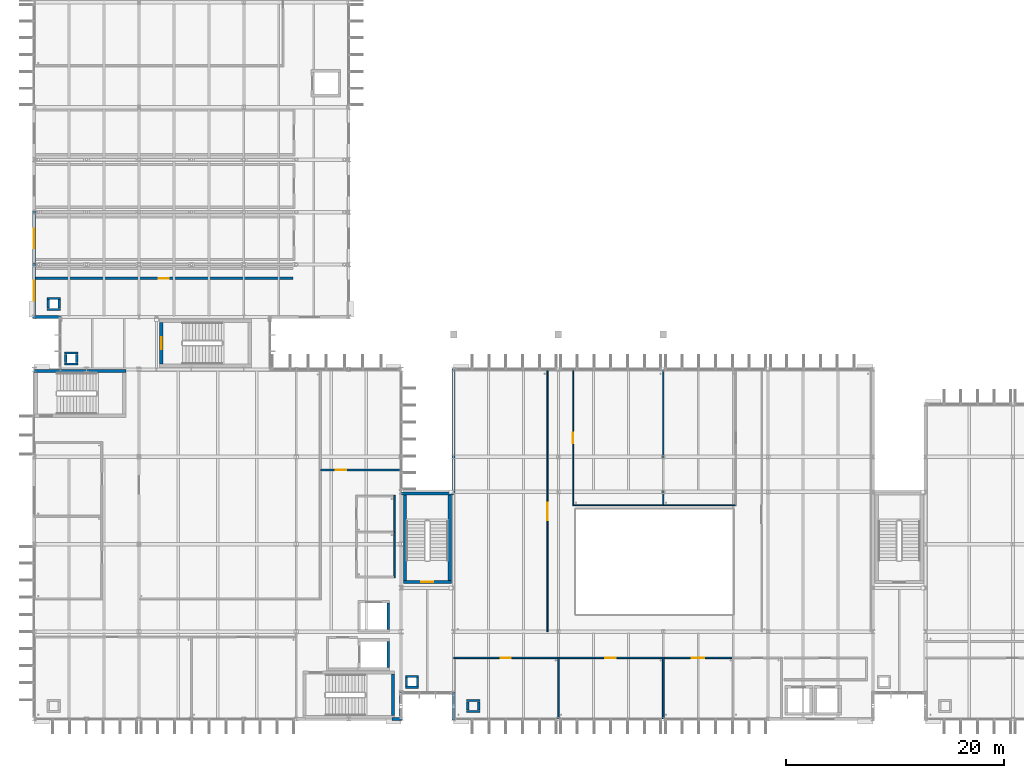
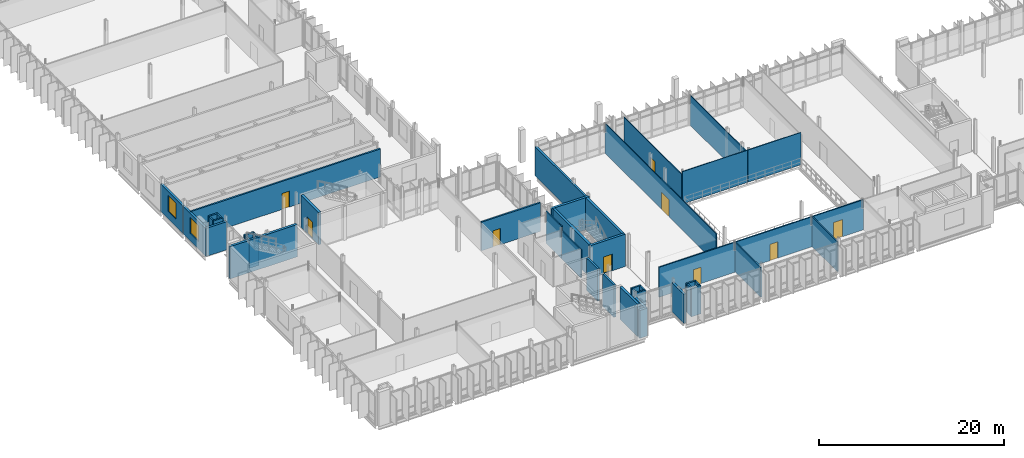
# One storey, part 62 of 110: 46 walls, 9 doors, 2 windows, 11 openings.
"""IFC4 building model written with IfcOpenShell, lengths in metres."""

from ifc_helpers import new_model, si_unit, direction, frame, frame_2d, origin, place, context, subcontext, project, spatial, rectangle, extrude, material, layer, layer_set, type_object, element, fill, save


model = new_model("IFC4")

# Units and contexts
model_context = context("Model", 3, precision=1e-05, world=origin(), true_north=direction((0.0, 1.0)))
body_context = subcontext(model_context, "Body", "Model", "MODEL_VIEW")
ifc_project = project(units=[si_unit("LENGTHUNIT", "METRE"), si_unit("AREAUNIT", "SQUARE_METRE"), si_unit("VOLUMEUNIT", "CUBIC_METRE"), si_unit("PLANEANGLEUNIT", "RADIAN"), si_unit("MASSUNIT", "GRAM", prefix="KILO")], contexts=[model_context])

# Site, building, storey
site_placement = place(None, origin())
site = spatial("IfcSite", under=ifc_project, at=site_placement, CompositionType="ELEMENT")
building_placement = place(site_placement, origin())
building = spatial("IfcBuilding", under=site, at=building_placement, Name="Dunescarp Central Library", CompositionType="ELEMENT")
storey_placement = place(building_placement, frame((0.0, 0.0, 9.60009765625)))
storey = spatial("IfcBuildingStorey", under=building, at=storey_placement, Name="L02", CompositionType="ELEMENT", Elevation=9.60009765625)

# Wall, opening, door
ifc_material_1 = material(Name="Gypsum plasterboard acoustic partition")
ifc_layer_1 = layer(ifc_material_1, 0.14990234375)
ifc_layer_set_1 = layer_set([ifc_layer_1], Name="Gypsum plasterboard acoustic partition")
wall_type_1 = type_object("IfcWallType", Name="ARC-PT-AC150", PredefinedType="PARTITIONING", material=ifc_layer_set_1)
wall_1_placement = place(storey_placement, frame((38.43994140625, 10.39990234375, 0.0), z_axis=(0.0, 0.0, 1.0), x_axis=(1.0, 0.0, 0.0)))
wall_1 = element("IfcWall", 1, at=wall_1_placement, inside=storey, type_object=wall_type_1, Name="L02 partition PT-L02-0182", PredefinedType="PARTITIONING", context=body_context, shape_type="SweptSolid", body=[
    extrude(rectangle(XDim=9.485107421875, YDim=0.14990234375, at=frame_2d((4.74267578125, 0.0))), origin(), (0.0, 0.0, 1.0), 3.954833984375),
])
opening_1_placement = place(wall_1_placement, frame((4.26806640625, 0.0, 0.0)))
opening_1 = element("IfcOpeningElement", 2, at=opening_1_placement, cuts=wall_1, Name="Opening DR-L02-0071", PredefinedType="OPENING", context=body_context, shape_type="SweptSolid", body=[
    extrude(rectangle(XDim=0.949951171875, YDim=2.14990234375, at=frame_2d((0.47509765625, 1.074951171875))), frame((0.0, 0.0849609375, 0.0), z_axis=(0.0, -1.0, 0.0), x_axis=(1.0, 0.0, 0.0)), (0.0, 0.0, 1.0), 0.169921875),
])
ifc_material_2 = material(Name="Hardwood solid-core timber leaf", Category="wood")
door_type_1 = type_object("IfcDoorType", Name="ARC-DR-INT950", OperationType="NOTDEFINED", PredefinedType="DOOR", material=ifc_material_2)
door_1_placement = place(opening_1_placement, origin())
door_1 = element("IfcDoor", 3, at=door_1_placement, inside=storey, type_object=door_type_1, Name="L02 interior door DR-L02-0071", OperationType="SINGLE_SWING_LEFT", OverallHeight=2.14990234375, OverallWidth=0.949951171875, PredefinedType="DOOR", context=body_context, shape_type="SweptSolid", body=[
    extrude(rectangle(XDim=0.949951171875, YDim=2.14990234375, at=frame_2d((0.47509765625, 1.074951171875))), frame((0.0, 0.02490234375, 0.0), z_axis=(0.0, -1.0, 0.0), x_axis=(1.0, 0.0, 0.0)), (0.0, 0.0, 1.0), 0.050048828125),
])
fill(opening_1, door_1)

# Wall
wall_2_placement = place(storey_placement, frame((48.0, 4.840087890625, 0.0), z_axis=(0.0, 0.0, 1.0), x_axis=(0.0, 1.0, 0.0)))
element("IfcWall", 4, at=wall_2_placement, inside=storey, type_object=wall_type_1, Name="L02 partition PT-L02-0183", PredefinedType="PARTITIONING", context=body_context, shape_type="SweptSolid", body=[
    extrude(rectangle(XDim=5.635009765625, YDim=0.14990234375, at=frame_2d((2.8173828125, 0.0))), origin(), (0.0, 0.0, 1.0), 3.9248046875),
])

# Wall, opening, door
wall_3_placement = place(storey_placement, frame((48.0, 10.39990234375, 0.0), z_axis=(0.0, 0.0, 1.0), x_axis=(1.0, 0.0, 0.0)))
wall_3 = element("IfcWall", 5, at=wall_3_placement, inside=storey, type_object=wall_type_1, Name="L02 partition PT-L02-0184", PredefinedType="PARTITIONING", context=body_context, shape_type="SweptSolid", body=[
    extrude(rectangle(XDim=9.52490234375, YDim=0.14990234375, at=frame_2d((4.762451171875, 0.0))), origin(), (0.0, 0.0, 1.0), 3.954833984375),
])
opening_2_placement = place(wall_3_placement, frame((4.287109375, 0.0, 0.0)))
opening_2 = element("IfcOpeningElement", 6, at=opening_2_placement, cuts=wall_3, Name="Opening DR-L02-0072", PredefinedType="OPENING", context=body_context, shape_type="SweptSolid", body=[
    extrude(rectangle(XDim=0.949951171875, YDim=2.14990234375, at=frame_2d((0.47509765625, 1.074951171875))), frame((0.0, 0.0849609375, 0.0), z_axis=(0.0, -1.0, 0.0), x_axis=(1.0, 0.0, 0.0)), (0.0, 0.0, 1.0), 0.169921875),
])
door_2_placement = place(opening_2_placement, origin())
door_2 = element("IfcDoor", 7, at=door_2_placement, inside=storey, type_object=door_type_1, Name="L02 interior door DR-L02-0072", OperationType="SINGLE_SWING_RIGHT", OverallHeight=2.14990234375, OverallWidth=0.949951171875, PredefinedType="DOOR", context=body_context, shape_type="SweptSolid", body=[
    extrude(rectangle(XDim=0.949951171875, YDim=2.14990234375, at=frame_2d((0.47509765625, 1.074951171875))), frame((0.0, 0.02490234375, 0.0), z_axis=(0.0, -1.0, 0.0), x_axis=(1.0, 0.0, 0.0)), (0.0, 0.0, 1.0), 0.050048828125),
])
fill(opening_2, door_2)

# Wall
wall_4_placement = place(storey_placement, frame((57.60009765625, 4.840087890625, 0.0), z_axis=(0.0, 0.0, 1.0), x_axis=(0.0, 1.0, 0.0)))
element("IfcWall", 8, at=wall_4_placement, inside=storey, type_object=wall_type_1, Name="L02 partition PT-L02-0185", PredefinedType="PARTITIONING", context=body_context, shape_type="SweptSolid", body=[
    extrude(rectangle(XDim=5.635009765625, YDim=0.14990234375, at=frame_2d((2.8173828125, 0.0))), origin(), (0.0, 0.0, 1.0), 3.9248046875),
])

# Wall, opening, door
wall_5_placement = place(storey_placement, frame((57.60009765625, 10.39990234375, 0.0), z_axis=(0.0, 0.0, 1.0), x_axis=(1.0, 0.0, 0.0)))
wall_5 = element("IfcWall", 9, at=wall_5_placement, inside=storey, type_object=wall_type_1, Name="L02 partition PT-L02-0186", PredefinedType="PARTITIONING", context=body_context, shape_type="SweptSolid", body=[
    extrude(rectangle(XDim=6.324951171875, YDim=0.14990234375, at=frame_2d((3.16259765625, 0.0))), origin(), (0.0, 0.0, 1.0), 3.954833984375),
])
opening_3_placement = place(wall_5_placement, frame((2.5869140625, 0.0, 0.0)))
opening_3 = element("IfcOpeningElement", 10, at=opening_3_placement, cuts=wall_5, Name="Opening DR-L02-0073", PredefinedType="OPENING", context=body_context, shape_type="SweptSolid", body=[
    extrude(rectangle(XDim=1.14990234375, YDim=2.25, at=frame_2d((0.574951171875, 1.125))), frame((0.0, 0.0849609375, 0.0), z_axis=(0.0, -1.0, 0.0), x_axis=(1.0, 0.0, 0.0)), (0.0, 0.0, 1.0), 0.169921875),
])
door_type_2 = type_object("IfcDoorType", Name="ARC-DR-STD1150", OperationType="NOTDEFINED", PredefinedType="DOOR", material=ifc_material_2)
door_3_placement = place(opening_3_placement, origin())
door_3 = element("IfcDoor", 11, at=door_3_placement, inside=storey, type_object=door_type_2, Name="L02 interior door DR-L02-0073", OperationType="SINGLE_SWING_LEFT", OverallHeight=2.25, OverallWidth=1.14990234375, PredefinedType="DOOR", context=body_context, shape_type="SweptSolid", body=[
    extrude(rectangle(XDim=1.14990234375, YDim=2.25, at=frame_2d((0.574951171875, 1.125))), frame((0.0, 0.02490234375, 0.0), z_axis=(0.0, -1.0, 0.0), x_axis=(1.0, 0.0, 0.0)), (0.0, 0.0, 1.0), 0.050048828125),
])
fill(opening_3, door_3)

ifc_material_3 = material(Name="Concrete C35/45", Category="concrete")
ifc_layer_2 = layer(ifc_material_3, 0.199951171875)
ifc_layer_set_2 = layer_set([ifc_layer_2], Name="Concrete C35/45")
wall_type_2 = type_object("IfcWallType", Name="ARC-PT-FIRE200", PredefinedType="PARTITIONING", material=ifc_layer_set_2)
wall_6_placement = place(storey_placement, frame((26.199951171875, 27.60009765625, 0.0), z_axis=(0.0, 0.0, 1.0), x_axis=(1.0, 0.0, 0.0)))
wall_6 = element("IfcWall", 12, at=wall_6_placement, inside=storey, type_object=wall_type_2, Name="L02 partition PT-L02-0069", PredefinedType="PARTITIONING", context=body_context, shape_type="SweptSolid", body=[
    extrude(rectangle(XDim=7.360107421875, YDim=0.199951171875, at=frame_2d((3.68017578125, 0.0))), origin(), (0.0, 0.0, 1.0), 3.784912109375),
])
opening_4_placement = place(wall_6_placement, frame((1.409912109375, 0.0, 0.0)))
opening_4 = element("IfcOpeningElement", 13, at=opening_4_placement, cuts=wall_6, Name="Opening DR-L02-0026", PredefinedType="OPENING", context=body_context, shape_type="SweptSolid", body=[
    extrude(rectangle(XDim=0.949951171875, YDim=2.14990234375, at=frame_2d((0.47509765625, 1.074951171875))), frame((0.0, 0.10986328125, 0.0), z_axis=(0.0, -1.0, 0.0), x_axis=(1.0, 0.0, 0.0)), (0.0, 0.0, 1.0), 0.219970703125),
])
door_4_placement = place(opening_4_placement, origin())
door_4 = element("IfcDoor", 14, at=door_4_placement, inside=storey, type_object=door_type_1, Name="L02 interior door DR-L02-0026", OperationType="SINGLE_SWING_RIGHT", OverallHeight=2.14990234375, OverallWidth=0.949951171875, PredefinedType="DOOR", context=body_context, shape_type="SweptSolid", body=[
    extrude(rectangle(XDim=0.949951171875, YDim=2.14990234375, at=frame_2d((0.47509765625, 1.074951171875))), frame((0.0, 0.02490234375, 0.0), z_axis=(0.0, -1.0, 0.0), x_axis=(1.0, 0.0, 0.0)), (0.0, 0.0, 1.0), 0.050048828125),
])
fill(opening_4, door_4)

wall_7_placement = place(storey_placement, frame((0.0400390625, 45.139892578125, 0.0), z_axis=(0.0, 0.0, 1.0), x_axis=(1.0, 0.0, 0.0)))
wall_7 = element("IfcWall", 15, at=wall_7_placement, inside=storey, type_object=wall_type_2, Name="L02 partition PT-L02-0351", PredefinedType="PARTITIONING", context=body_context, shape_type="SweptSolid", body=[
    extrude(rectangle(XDim=23.659912109375, YDim=0.199951171875, at=frame_2d((11.830078125, 0.0))), origin(), (0.0, 0.0, 1.0), 3.701904296875),
])
opening_5_placement = place(wall_7_placement, frame((11.35498046875, 0.0, 0.0)))
opening_5 = element("IfcOpeningElement", 16, at=opening_5_placement, cuts=wall_7, Name="Opening DR-L02-0151", PredefinedType="OPENING", context=body_context, shape_type="SweptSolid", body=[
    extrude(rectangle(XDim=0.949951171875, YDim=2.10009765625, at=frame_2d((0.47509765625, 1.050048828125))), frame((0.0, 0.10986328125, 0.0), z_axis=(0.0, -1.0, 0.0), x_axis=(1.0, 0.0, 0.0)), (0.0, 0.0, 1.0), 0.219970703125),
])
door_type_3 = type_object("IfcDoorType", Name="ARC-DR-WC950", OperationType="NOTDEFINED", PredefinedType="DOOR", material=ifc_material_2)
door_5_placement = place(opening_5_placement, origin())
door_5 = element("IfcDoor", 17, at=door_5_placement, inside=storey, type_object=door_type_3, Name="L02 interior door DR-L02-0151", OperationType="SINGLE_SWING_RIGHT", OverallHeight=2.10009765625, OverallWidth=0.949951171875, PredefinedType="DOOR", context=body_context, shape_type="SweptSolid", body=[
    extrude(rectangle(XDim=0.949951171875, YDim=2.10009765625, at=frame_2d((0.47509765625, 1.050048828125))), frame((0.0, 0.02490234375, 0.0), z_axis=(0.0, -1.0, 0.0), x_axis=(1.0, 0.0, 0.0)), (0.0, 0.0, 1.0), 0.050048828125),
])
fill(opening_5, door_5)

ifc_material_4 = material(Name="Solar-control laminated double glazing", Category="glass")
ifc_layer_3 = layer(ifc_material_4, 0.10009765625)
ifc_layer_set_3 = layer_set([ifc_layer_3], Name="Solar-control laminated double glazing")
wall_type_3 = type_object("IfcWallType", Name="ARC-PT-GLZ100", PredefinedType="MOVABLE", material=ifc_layer_set_3)
wall_8_placement = place(storey_placement, frame((47.0, 12.800048828125, 0.0), z_axis=(0.0, 0.0, 1.0), x_axis=(0.0, 1.0, 0.0)))
wall_8 = element("IfcWall", 18, at=wall_8_placement, inside=storey, type_object=wall_type_3, Name="L02 partition PT-L02-0190", PredefinedType="MOVABLE", context=body_context, shape_type="SweptSolid", body=[
    extrude(rectangle(XDim=23.9599609375, YDim=0.10009765625, at=frame_2d((11.97998046875, 0.0))), origin(), (0.0, 0.0, 1.0), 3.9248046875),
])
opening_6_placement = place(wall_8_placement, frame((10.179931640625, 0.0, 0.0)))
opening_6 = element("IfcOpeningElement", 19, at=opening_6_placement, cuts=wall_8, Name="Opening DR-L02-0075", PredefinedType="OPENING", context=body_context, shape_type="SweptSolid", body=[
    extrude(rectangle(XDim=1.60009765625, YDim=2.25, at=frame_2d((0.800048828125, 1.125))), frame((0.0, 0.06005859375, 0.0), z_axis=(0.0, -1.0, 0.0), x_axis=(1.0, 0.0, 0.0)), (0.0, 0.0, 1.0), 0.1201171875),
])
ifc_material_5 = material(Name="Marine-grade anodised aluminium 6063-T6", Category="aluminium")
door_type_4 = type_object("IfcDoorType", Name="ARC-DR-DBL1600", OperationType="DOUBLE_DOOR_SINGLE_SWING", PredefinedType="DOOR", material=ifc_material_5)
door_6_placement = place(opening_6_placement, origin())
door_6 = element("IfcDoor", 20, at=door_6_placement, inside=storey, type_object=door_type_4, Name="L02 interior door DR-L02-0075", OperationType="DOUBLE_DOOR_SINGLE_SWING", OverallHeight=2.25, OverallWidth=1.60009765625, PredefinedType="DOOR", context=body_context, shape_type="SweptSolid", body=[
    extrude(rectangle(XDim=1.60009765625, YDim=2.25, at=frame_2d((0.800048828125, 1.125))), frame((0.0, 0.02490234375, 0.0), z_axis=(0.0, -1.0, 0.0), x_axis=(1.0, 0.0, 0.0)), (0.0, 0.0, 1.0), 0.050048828125),
])
fill(opening_6, door_6)

# Wall
wall_9_placement = place(storey_placement, frame((49.39990234375, 24.35009765625, 0.0), z_axis=(0.0, 0.0, 1.0), x_axis=(1.0, 0.0, 0.0)))
element("IfcWall", 21, at=wall_9_placement, inside=storey, type_object=wall_type_3, Name="L02 partition PT-L02-0193", PredefinedType="MOVABLE", context=body_context, shape_type="SweptSolid", body=[
    extrude(rectangle(XDim=8.150146484375, YDim=0.10009765625, at=frame_2d((4.0751953125, 0.0))), origin(), (0.0, 0.0, 1.0), 4.260009765625),
])

# Wall, opening, door
wall_10_placement = place(storey_placement, frame((49.35009765625, 24.300048828125, 0.0), z_axis=(0.0, 0.0, 1.0), x_axis=(0.0, 1.0, 0.0)))
wall_10 = element("IfcWall", 22, at=wall_10_placement, inside=storey, type_object=wall_type_3, Name="L02 partition PT-L02-0194", PredefinedType="MOVABLE", context=body_context, shape_type="SweptSolid", body=[
    extrude(rectangle(XDim=12.4599609375, YDim=0.10009765625, at=frame_2d((6.22998046875, 0.0))), origin(), (0.0, 0.0, 1.0), 3.9248046875),
])
opening_7_placement = place(wall_10_placement, frame((5.7548828125, 0.0, 0.0)))
opening_7 = element("IfcOpeningElement", 23, at=opening_7_placement, cuts=wall_10, Name="Opening DR-L02-0077", PredefinedType="OPENING", context=body_context, shape_type="SweptSolid", body=[
    extrude(rectangle(XDim=0.949951171875, YDim=2.14990234375, at=frame_2d((0.47509765625, 1.074951171875))), frame((0.0, 0.06005859375, 0.0), z_axis=(0.0, -1.0, 0.0), x_axis=(1.0, 0.0, 0.0)), (0.0, 0.0, 1.0), 0.1201171875),
])
door_7_placement = place(opening_7_placement, origin())
door_7 = element("IfcDoor", 24, at=door_7_placement, inside=storey, type_object=door_type_1, Name="L02 interior door DR-L02-0077", OperationType="SINGLE_SWING_LEFT", OverallHeight=2.14990234375, OverallWidth=0.949951171875, PredefinedType="DOOR", context=body_context, shape_type="SweptSolid", body=[
    extrude(rectangle(XDim=0.949951171875, YDim=2.14990234375, at=frame_2d((0.47509765625, 1.074951171875))), frame((0.0, 0.02490234375, 0.0), z_axis=(0.0, -1.0, 0.0), x_axis=(1.0, 0.0, 0.0)), (0.0, 0.0, 1.0), 0.050048828125),
])
fill(opening_7, door_7)

# Walls
wall_11_placement = place(storey_placement, frame((57.60009765625, 24.300048828125, 0.0), z_axis=(0.0, 0.0, 1.0), x_axis=(0.0, 1.0, 0.0)))
element("IfcWall", 25, at=wall_11_placement, inside=storey, type_object=wall_type_3, Name="L02 partition PT-L02-0195", PredefinedType="MOVABLE", context=body_context, shape_type="SweptSolid", body=[
    extrude(rectangle(XDim=12.4599609375, YDim=0.10009765625, at=frame_2d((6.22998046875, 0.0))), origin(), (0.0, 0.0, 1.0), 3.9248046875),
])
wall_12_placement = place(storey_placement, frame((57.60009765625, 24.35009765625, 0.0), z_axis=(0.0, 0.0, 1.0), x_axis=(1.0, 0.0, 0.0)))
element("IfcWall", 26, at=wall_12_placement, inside=storey, type_object=wall_type_3, Name="L02 partition PT-L02-0196", PredefinedType="MOVABLE", context=body_context, shape_type="SweptSolid", body=[
    extrude(rectangle(XDim=6.599853515625, YDim=0.10009765625, at=frame_2d((3.2998046875, 0.0))), origin(), (0.0, 0.0, 1.0), 4.260009765625),
])
ifc_material_6 = material(Name="Autoclaved aerated concrete block", Category="concrete")
ifc_layer_4 = layer(ifc_material_6, 0.139892578125)
ifc_layer_set_4 = layer_set([ifc_layer_4], Name="Autoclaved aerated concrete block")
wall_type_4 = type_object("IfcWallType", Name="ARC-PT-WET140", PredefinedType="PARTITIONING", material=ifc_layer_set_4)
wall_13_placement = place(storey_placement, frame((33.0, 17.72998046875, 0.0), z_axis=(0.0, 0.0, 1.0), x_axis=(0.0, 1.0, 0.0)))
element("IfcWall", 27, at=wall_13_placement, inside=storey, type_object=wall_type_4, Name="L02 partition PT-L02-0053", PredefinedType="PARTITIONING", context=body_context, shape_type="SweptSolid", body=[
    extrude(rectangle(XDim=4.239990234375, YDim=0.139892578125, at=frame_2d((2.1201171875, 0.0))), origin(), (0.0, 0.0, 1.0), 3.684814453125),
])
wall_14_placement = place(storey_placement, frame((33.0, 21.89990234375, 0.0), z_axis=(0.0, 0.0, 1.0), x_axis=(0.0, 1.0, 0.0)))
element("IfcWall", 28, at=wall_14_placement, inside=storey, type_object=wall_type_4, Name="L02 partition PT-L02-0056", PredefinedType="PARTITIONING", context=body_context, shape_type="SweptSolid", body=[
    extrude(rectangle(XDim=3.3701171875, YDim=0.139892578125, at=frame_2d((1.68505859375, 0.0))), origin(), (0.0, 0.0, 1.0), 4.260009765625),
])
ifc_material_7 = material(Name="Glass-fibre reinforced concrete GRC", Category="concrete")
ifc_layer_5 = layer(ifc_material_7, 0.260009765625)
ifc_layer_set_5 = layer_set([ifc_layer_5], Name="Glass-fibre reinforced concrete GRC")
wall_type_5 = type_object("IfcWallType", Name="ARC-WL-GRC260", PredefinedType="SOLIDWALL", material=ifc_layer_set_5)
wall_15_placement = place(storey_placement, frame((38.39990234375, 4.715087890625, 0.0), z_axis=(0.0, 0.0, 1.0), x_axis=(0.0, 1.0, 0.0)))
element("IfcWall", 29, at=wall_15_placement, inside=storey, type_object=wall_type_5, Name="L02 external wall EW-V2-044", PredefinedType="SOLIDWALL", context=body_context, shape_type="SweptSolid", body=[
    extrude(rectangle(XDim=2.56982421875, YDim=0.260009765625, at=frame_2d((1.284912109375, 0.0))), origin(), (0.0, 0.0, 1.0), 3.844970703125),
])
wall_16_placement = place(storey_placement, frame((38.39990234375, 25.514892578125, 0.0), z_axis=(0.0, 0.0, 1.0), x_axis=(0.0, 1.0, 0.0)))
element("IfcWall", 30, at=wall_16_placement, inside=storey, type_object=wall_type_5, Name="L02 external wall EW-V2-045", PredefinedType="SOLIDWALL", context=body_context, shape_type="SweptSolid", body=[
    extrude(rectangle(XDim=11.3701171875, YDim=0.260009765625, at=frame_2d((5.68505859375, 0.0))), origin(), (0.0, 0.0, 1.0), 3.844970703125),
])
ifc_layer_6 = layer(ifc_material_7, 0.280029296875)
ifc_layer_set_6 = layer_set([ifc_layer_6], Name="Glass-fibre reinforced concrete GRC")
wall_type_6 = type_object("IfcWallType", Name="ARC-WL-GRC280", PredefinedType="SOLIDWALL", material=ifc_layer_set_6)
wall_17_placement = place(storey_placement, frame((33.68505859375, 4.800048828125, 0.0), z_axis=(0.0, 0.0, 1.0), x_axis=(-1.0, 0.0, 0.0)))
element("IfcWall", 31, at=wall_17_placement, inside=storey, type_object=wall_type_6, Name="L02 external wall EW-V1-011", PredefinedType="SOLIDWALL", context=body_context, shape_type="SweptSolid", body=[
    extrude(rectangle(XDim=0.920166015625, YDim=0.280029296875, at=frame_2d((0.4599609375, 0.0))), origin(), (0.0, 0.0, 1.0), 3.684814453125),
])
wall_18_placement = place(storey_placement, frame((33.60009765625, 7.284912109375, 0.0), z_axis=(0.0, 0.0, 1.0), x_axis=(0.0, -1.0, 0.0)))
element("IfcWall", 32, at=wall_18_placement, inside=storey, type_object=wall_type_6, Name="L02 external wall EW-V1-013", PredefinedType="SOLIDWALL", context=body_context, shape_type="SweptSolid", body=[
    extrude(rectangle(XDim=2.56982421875, YDim=0.280029296875, at=frame_2d((1.284912109375, 0.0))), origin(), (0.0, 0.0, 1.0), 3.684814453125),
])
wall_19_placement = place(storey_placement, frame((2.485107421875, 41.60009765625, 0.0), z_axis=(0.0, 0.0, 1.0), x_axis=(-1.0, 0.0, 0.0)))
element("IfcWall", 33, at=wall_19_placement, inside=storey, type_object=wall_type_6, Name="L02 external wall EW-V4-126", PredefinedType="SOLIDWALL", context=body_context, shape_type="SweptSolid", body=[
    extrude(rectangle(XDim=2.570068359375, YDim=0.280029296875, at=frame_2d((1.28515625, 0.0))), origin(), (0.0, 0.0, 1.0), 3.701904296875),
])

# Wall, opening, window
wall_20_placement = place(storey_placement, frame((0.0, 41.514892578125, 0.0), z_axis=(0.0, 0.0, 1.0), x_axis=(0.0, 1.0, 0.0)))
wall_20 = element("IfcWall", 34, at=wall_20_placement, inside=storey, type_object=wall_type_6, Name="L02 external wall EW-V4-128", PredefinedType="SOLIDWALL", context=body_context, shape_type="SweptSolid", body=[
    extrude(rectangle(XDim=4.97021484375, YDim=0.280029296875, at=frame_2d((2.485107421875, 0.0))), origin(), (0.0, 0.0, 1.0), 3.635009765625),
])
opening_8_placement = place(wall_20_placement, frame((1.5849609375, 0.0, 1.0)))
opening_8 = element("IfcOpeningElement", 35, at=opening_8_placement, cuts=wall_20, Name="Opening WN-030", PredefinedType="OPENING", context=body_context, shape_type="SweptSolid", body=[
    extrude(rectangle(XDim=1.800048828125, YDim=2.10009765625, at=frame_2d((0.89990234375, 1.050048828125))), frame((0.0, 0.14990234375, 0.0), z_axis=(0.0, -1.0, 0.0), x_axis=(1.0, 0.0, 0.0)), (0.0, 0.0, 1.0), 0.300048828125),
])
window_type = type_object("IfcWindowType", Name="ARC-WN-1800X2100", PartitioningType="SINGLE_PANEL", PredefinedType="WINDOW", material=ifc_material_4)
window_1_placement = place(opening_8_placement, origin())
window_1 = element("IfcWindow", 36, at=window_1_placement, inside=storey, type_object=window_type, Name="L02 window WN-030", OverallHeight=2.10009765625, OverallWidth=1.800048828125, PartitioningType="SINGLE_PANEL", PredefinedType="WINDOW", context=body_context, shape_type="SweptSolid", body=[
    extrude(rectangle(XDim=1.800048828125, YDim=2.10009765625, at=frame_2d((0.89990234375, 1.050048828125))), frame((0.0, 0.030029296875, 0.0), z_axis=(0.0, -1.0, 0.0), x_axis=(1.0, 0.0, 0.0)), (0.0, 0.0, 1.0), 0.06005859375),
])
fill(opening_8, window_1)

wall_21_placement = place(storey_placement, frame((0.0, 46.31494140625, 0.0), z_axis=(0.0, 0.0, 1.0), x_axis=(0.0, 1.0, 0.0)))
wall_21 = element("IfcWall", 37, at=wall_21_placement, inside=storey, type_object=wall_type_6, Name="L02 external wall EW-V4-130", PredefinedType="SOLIDWALL", context=body_context, shape_type="SweptSolid", body=[
    extrude(rectangle(XDim=4.969970703125, YDim=0.280029296875, at=frame_2d((2.48486328125, 0.0))), origin(), (0.0, 0.0, 1.0), 3.635009765625),
])
opening_9_placement = place(wall_21_placement, frame((1.5849609375, 0.0, 1.0)))
opening_9 = element("IfcOpeningElement", 38, at=opening_9_placement, cuts=wall_21, Name="Opening WN-032", PredefinedType="OPENING", context=body_context, shape_type="SweptSolid", body=[
    extrude(rectangle(XDim=1.800048828125, YDim=2.10009765625, at=frame_2d((0.89990234375, 1.050048828125))), frame((0.0, 0.14990234375, 0.0), z_axis=(0.0, -1.0, 0.0), x_axis=(1.0, 0.0, 0.0)), (0.0, 0.0, 1.0), 0.300048828125),
])
window_2_placement = place(opening_9_placement, origin())
window_2 = element("IfcWindow", 39, at=window_2_placement, inside=storey, type_object=window_type, Name="L02 window WN-032", OverallHeight=2.10009765625, OverallWidth=1.800048828125, PartitioningType="SINGLE_PANEL", PredefinedType="WINDOW", context=body_context, shape_type="SweptSolid", body=[
    extrude(rectangle(XDim=1.800048828125, YDim=2.10009765625, at=frame_2d((0.89990234375, 1.050048828125))), frame((0.0, 0.030029296875, 0.0), z_axis=(0.0, -1.0, 0.0), x_axis=(1.0, 0.0, 0.0)), (0.0, 0.0, 1.0), 0.06005859375),
])
fill(opening_9, window_2)

# Walls
ifc_layer_7 = layer(ifc_material_3, 0.199951171875)
ifc_layer_set_7 = layer_set([ifc_layer_7], Name="Concrete C35/45")
wall_type_7 = type_object("IfcWallType", Name="ARC-WL-RISER200", PredefinedType="PARTITIONING", material=ifc_layer_set_7)
for number, where, z_axis, x_axis, name in (
    (40, (40.800048828125, 5.5, 0.0), (0.0, 0.0, 1.0), (-1.0, 0.0, 0.0), "L02 V2 duct shaft wall S"),
    (41, (39.60009765625, 6.5, 0.0), (0.0, 0.0, 1.0), (1.0, 0.0, 0.0), "L02 V2 duct shaft wall N"),
):
    element("IfcWall", number, at=place(storey_placement, frame(where, z_axis=z_axis, x_axis=x_axis)), inside=storey, type_object=wall_type_7, Name=name, PredefinedType="PARTITIONING", context=body_context, shape_type="SweptSolid", body=[
        extrude(rectangle(XDim=1.199951171875, YDim=0.199951171875, at=frame_2d((0.60009765625, 0.0))), origin(), (0.0, 0.0, 1.0), 3.760009765625),
    ])
for number, where, z_axis, x_axis, name in (
    (42, (39.699951171875, 5.6201171875, 0.0), (0.0, 0.0, 1.0), (0.0, 1.0, 0.0), "L02 V2 duct shaft wall W"),
    (43, (40.699951171875, 6.3798828125, 0.0), (0.0, 0.0, 1.0), (0.0, -1.0, 0.0), "L02 V2 duct shaft wall E"),
):
    element("IfcWall", number, at=place(storey_placement, frame(where, z_axis=z_axis, x_axis=x_axis)), inside=storey, type_object=wall_type_7, Name=name, PredefinedType="PARTITIONING", context=body_context, shape_type="SweptSolid", body=[
        extrude(rectangle(XDim=0.759765625, YDim=0.199951171875, at=frame_2d((0.3798828125, 0.0))), origin(), (0.0, 0.0, 1.0), 3.760009765625),
    ])
for number, where, z_axis, x_axis, name in (
    (44, (2.39990234375, 42.300048828125, 0.0), (0.0, 0.0, 1.0), (-1.0, 0.0, 0.0), "L02 V4 duct shaft wall S"),
    (45, (1.199951171875, 43.300048828125, 0.0), (0.0, 0.0, 1.0), (1.0, 0.0, 0.0), "L02 V4 duct shaft wall N"),
):
    element("IfcWall", number, at=place(storey_placement, frame(where, z_axis=z_axis, x_axis=x_axis)), inside=storey, type_object=wall_type_7, Name=name, PredefinedType="PARTITIONING", context=body_context, shape_type="SweptSolid", body=[
        extrude(rectangle(XDim=1.199951171875, YDim=0.199951171875, at=frame_2d((0.60009765625, 0.0))), origin(), (0.0, 0.0, 1.0), 3.760009765625),
    ])
for number, where, z_axis, x_axis, name in (
    (46, (1.300048828125, 42.419921875, 0.0), (0.0, 0.0, 1.0), (0.0, 1.0, 0.0), "L02 V4 duct shaft wall W"),
    (47, (2.300048828125, 43.179931640625, 0.0), (0.0, 0.0, 1.0), (0.0, -1.0, 0.0), "L02 V4 duct shaft wall E"),
):
    element("IfcWall", number, at=place(storey_placement, frame(where, z_axis=z_axis, x_axis=x_axis)), inside=storey, type_object=wall_type_7, Name=name, PredefinedType="PARTITIONING", context=body_context, shape_type="SweptSolid", body=[
        extrude(rectangle(XDim=0.760009765625, YDim=0.199951171875, at=frame_2d((0.3798828125, 0.0))), origin(), (0.0, 0.0, 1.0), 3.760009765625),
    ])
for number, where, z_axis, x_axis, name in (
    (48, (35.199951171875, 7.699951171875, 0.0), (0.0, 0.0, 1.0), (-1.0, 0.0, 0.0), "L02 GL1 duct shaft wall S"),
    (49, (34.0, 8.699951171875, 0.0), (0.0, 0.0, 1.0), (1.0, 0.0, 0.0), "L02 GL1 duct shaft wall N"),
):
    element("IfcWall", number, at=place(storey_placement, frame(where, z_axis=z_axis, x_axis=x_axis)), inside=storey, type_object=wall_type_7, Name=name, PredefinedType="PARTITIONING", context=body_context, shape_type="SweptSolid", body=[
        extrude(rectangle(XDim=1.199951171875, YDim=0.199951171875, at=frame_2d((0.60009765625, 0.0))), origin(), (0.0, 0.0, 1.0), 3.760009765625),
    ])
for number, where, z_axis, x_axis, name in (
    (50, (34.10009765625, 7.820068359375, 0.0), (0.0, 0.0, 1.0), (0.0, 1.0, 0.0), "L02 GL1 duct shaft wall W"),
    (51, (35.10009765625, 8.580078125, 0.0), (0.0, 0.0, 1.0), (0.0, -1.0, 0.0), "L02 GL1 duct shaft wall E"),
):
    element("IfcWall", number, at=place(storey_placement, frame(where, z_axis=z_axis, x_axis=x_axis)), inside=storey, type_object=wall_type_7, Name=name, PredefinedType="PARTITIONING", context=body_context, shape_type="SweptSolid", body=[
        extrude(rectangle(XDim=0.760009765625, YDim=0.199951171875, at=frame_2d((0.3798828125, 0.0))), origin(), (0.0, 0.0, 1.0), 3.760009765625),
    ])
for number, where, z_axis, x_axis, name in (
    (52, (4.0, 37.300048828125, 0.0), (0.0, 0.0, 1.0), (-1.0, 0.0, 0.0), "L02 GL4 duct shaft wall S"),
    (53, (2.800048828125, 38.300048828125, 0.0), (0.0, 0.0, 1.0), (1.0, 0.0, 0.0), "L02 GL4 duct shaft wall N"),
):
    element("IfcWall", number, at=place(storey_placement, frame(where, z_axis=z_axis, x_axis=x_axis)), inside=storey, type_object=wall_type_7, Name=name, PredefinedType="PARTITIONING", context=body_context, shape_type="SweptSolid", body=[
        extrude(rectangle(XDim=1.199951171875, YDim=0.199951171875, at=frame_2d((0.60009765625, 0.0))), origin(), (0.0, 0.0, 1.0), 3.760009765625),
    ])
for number, where, z_axis, x_axis, name in (
    (54, (2.89990234375, 37.419921875, 0.0), (0.0, 0.0, 1.0), (0.0, 1.0, 0.0), "L02 GL4 duct shaft wall W"),
    (55, (3.89990234375, 38.179931640625, 0.0), (0.0, 0.0, 1.0), (0.0, -1.0, 0.0), "L02 GL4 duct shaft wall E"),
):
    element("IfcWall", number, at=place(storey_placement, frame(where, z_axis=z_axis, x_axis=x_axis)), inside=storey, type_object=wall_type_7, Name=name, PredefinedType="PARTITIONING", context=body_context, shape_type="SweptSolid", body=[
        extrude(rectangle(XDim=0.760009765625, YDim=0.199951171875, at=frame_2d((0.3798828125, 0.0))), origin(), (0.0, 0.0, 1.0), 3.760009765625),
    ])
ifc_material_8 = material(Name="Concrete C40/50", Category="concrete")
ifc_layer_8 = layer(ifc_material_8, 0.25)
ifc_layer_set_8 = layer_set([ifc_layer_8], Name="Concrete C40/50")
wall_type_8 = type_object("IfcWallType", Name="STR-WL-CORE250", PredefinedType="SHEAR", material=ifc_layer_set_8)
for number, where, z_axis, x_axis, name in (
    (56, (32.425048828125, 11.89990234375, 0.0), (0.0, 0.0, 1.0), (0.0, -1.0, 0.0), "L02 FFL-1 lift shaft wall E"),
    (57, (32.425048828125, 15.39990234375, 0.0), (0.0, 0.0, 1.0), (0.0, -1.0, 0.0), "L02 SL-1 lift shaft wall E"),
):
    element("IfcWall", number, at=place(storey_placement, frame(where, z_axis=z_axis, x_axis=x_axis)), inside=storey, type_object=wall_type_8, Name=name, PredefinedType="SHEAR", context=body_context, shape_type="SweptSolid", body=[
        extrude(rectangle(XDim=2.39990234375, YDim=0.25, at=frame_2d((1.199951171875, 0.0))), origin(), (0.0, 0.0, 1.0), 4.260009765625),
    ])
ifc_layer_9 = layer(ifc_material_8, 0.300048828125)
ifc_layer_set_9 = layer_set([ifc_layer_9], Name="Concrete C40/50")
wall_type_9 = type_object("IfcWallType", Name="STR-WL-CORE300", PredefinedType="SHEAR", material=ifc_layer_set_9)
wall_22_placement = place(storey_placement, frame((32.85009765625, 8.89990234375, 0.0), z_axis=(0.0, 0.0, 1.0), x_axis=(0.0, -1.0, 0.0)))
element("IfcWall", 58, at=wall_22_placement, inside=storey, type_object=wall_type_9, Name="L02 ST-1 east core wall", PredefinedType="SHEAR", context=body_context, shape_type="SweptSolid", body=[
    extrude(rectangle(XDim=3.7998046875, YDim=0.300048828125, at=frame_2d((1.89990234375, 0.0))), origin(), (0.0, 0.0, 1.0), 4.260009765625),
])
wall_23_placement = place(storey_placement, frame((0.0, 36.64990234375, 0.0), z_axis=(0.0, 0.0, 1.0), x_axis=(1.0, 0.0, 0.0)))
element("IfcWall", 59, at=wall_23_placement, inside=storey, type_object=wall_type_9, Name="L02 ST-6 north core wall", PredefinedType="SHEAR", context=body_context, shape_type="SweptSolid", body=[
    extrude(rectangle(XDim=8.39990234375, YDim=0.300048828125, at=frame_2d((4.199951171875, 0.0))), origin(), (0.0, 0.0, 1.0), 4.260009765625),
])

# Wall, opening, door
wall_24_placement = place(storey_placement, frame((38.199951171875, 17.35009765625, 0.0), z_axis=(0.0, 0.0, 1.0), x_axis=(-1.0, 0.0, 0.0)))
wall_24 = element("IfcWall", 60, at=wall_24_placement, inside=storey, type_object=wall_type_9, Name="L02 ST-2 south core wall", PredefinedType="SHEAR", context=body_context, shape_type="SweptSolid", body=[
    extrude(rectangle(XDim=4.39990234375, YDim=0.300048828125, at=frame_2d((2.199951171875, 0.0))), origin(), (0.0, 0.0, 1.0), 4.260009765625),
])
opening_10_placement = place(wall_24_placement, frame((1.64990234375, 0.0, 0.0)))
opening_10 = element("IfcOpeningElement", 61, at=opening_10_placement, cuts=wall_24, Name="Opening D-ST-2-L02", PredefinedType="OPENING", context=body_context, shape_type="SweptSolid", body=[
    extrude(rectangle(XDim=1.10009765625, YDim=2.199951171875, at=frame_2d((0.550048828125, 1.10009765625))), frame((0.0, 0.16015625, 0.0), z_axis=(0.0, -1.0, 0.0), x_axis=(1.0, 0.0, 0.0)), (0.0, 0.0, 1.0), 0.320068359375),
])
ifc_material_9 = material(Name="Galvanised steel FD120S", Category="steel")
door_type_5 = type_object("IfcDoorType", Name="ARC-DR-STAIR", OperationType="NOTDEFINED", PredefinedType="DOOR", material=ifc_material_9)
door_8_placement = place(opening_10_placement, origin())
door_8 = element("IfcDoor", 62, at=door_8_placement, inside=storey, type_object=door_type_5, Name="L02 ST-2 fire stair door", OperationType="SINGLE_SWING_RIGHT", OverallHeight=2.199951171875, OverallWidth=1.10009765625, PredefinedType="DOOR", context=body_context, shape_type="SweptSolid", body=[
    extrude(rectangle(XDim=1.10009765625, YDim=2.199951171875, at=frame_2d((0.550048828125, 1.10009765625))), frame((0.0, 0.02490234375, 0.0), z_axis=(0.0, -1.0, 0.0), x_axis=(1.0, 0.0, 0.0)), (0.0, 0.0, 1.0), 0.050048828125),
])
fill(opening_10, door_8)

# Walls
wall_25_placement = place(storey_placement, frame((33.6201171875, 25.449951171875, 0.0), z_axis=(0.0, 0.0, 1.0), x_axis=(1.0, 0.0, 0.0)))
element("IfcWall", 63, at=wall_25_placement, inside=storey, type_object=wall_type_9, Name="L02 ST-2 north core wall", PredefinedType="SHEAR", context=body_context, shape_type="SweptSolid", body=[
    extrude(rectangle(XDim=4.759765625, YDim=0.300048828125, at=frame_2d((2.3798828125, 0.0))), origin(), (0.0, 0.0, 1.0), 4.260009765625),
])
for number, where, z_axis, x_axis, name in (
    (64, (33.949951171875, 17.5, 0.0), (0.0, 0.0, 1.0), (0.0, 1.0, 0.0), "L02 ST-2 west core wall"),
    (65, (38.050048828125, 25.300048828125, 0.0), (0.0, 0.0, 1.0), (0.0, -1.0, 0.0), "L02 ST-2 east core wall"),
):
    element("IfcWall", number, at=place(storey_placement, frame(where, z_axis=z_axis, x_axis=x_axis)), inside=storey, type_object=wall_type_9, Name=name, PredefinedType="SHEAR", context=body_context, shape_type="SweptSolid", body=[
        extrude(rectangle(XDim=7.800048828125, YDim=0.300048828125, at=frame_2d((3.89990234375, 0.0))), origin(), (0.0, 0.0, 1.0), 4.260009765625),
    ])

# Wall, opening, door
wall_26_placement = place(storey_placement, frame((11.64990234375, 37.300048828125, 0.0), z_axis=(0.0, 0.0, 1.0), x_axis=(0.0, 1.0, 0.0)))
wall_26 = element("IfcWall", 66, at=wall_26_placement, inside=storey, type_object=wall_type_9, Name="L02 ST-4 west core wall", PredefinedType="SHEAR", context=body_context, shape_type="SweptSolid", body=[
    extrude(rectangle(XDim=3.800048828125, YDim=0.300048828125, at=frame_2d((1.89990234375, 0.0))), origin(), (0.0, 0.0, 1.0), 4.260009765625),
])
opening_11_placement = place(wall_26_placement, frame((1.35009765625, 0.0, 0.0)))
opening_11 = element("IfcOpeningElement", 67, at=opening_11_placement, cuts=wall_26, Name="Opening D-ST-4-L02", PredefinedType="OPENING", context=body_context, shape_type="SweptSolid", body=[
    extrude(rectangle(XDim=1.10009765625, YDim=2.199951171875, at=frame_2d((0.550048828125, 1.10009765625))), frame((0.0, 0.16015625, 0.0), z_axis=(0.0, -1.0, 0.0), x_axis=(1.0, 0.0, 0.0)), (0.0, 0.0, 1.0), 0.320068359375),
])
door_9_placement = place(opening_11_placement, origin())
door_9 = element("IfcDoor", 68, at=door_9_placement, inside=storey, type_object=door_type_5, Name="L02 ST-4 fire stair door", OperationType="SINGLE_SWING_LEFT", OverallHeight=2.199951171875, OverallWidth=1.10009765625, PredefinedType="DOOR", context=body_context, shape_type="SweptSolid", body=[
    extrude(rectangle(XDim=1.10009765625, YDim=2.199951171875, at=frame_2d((0.550048828125, 1.10009765625))), frame((0.0, 0.02490234375, 0.0), z_axis=(0.0, -1.0, 0.0), x_axis=(1.0, 0.0, 0.0)), (0.0, 0.0, 1.0), 0.050048828125),
])
fill(opening_11, door_9)

save(model, "model.ifc")
